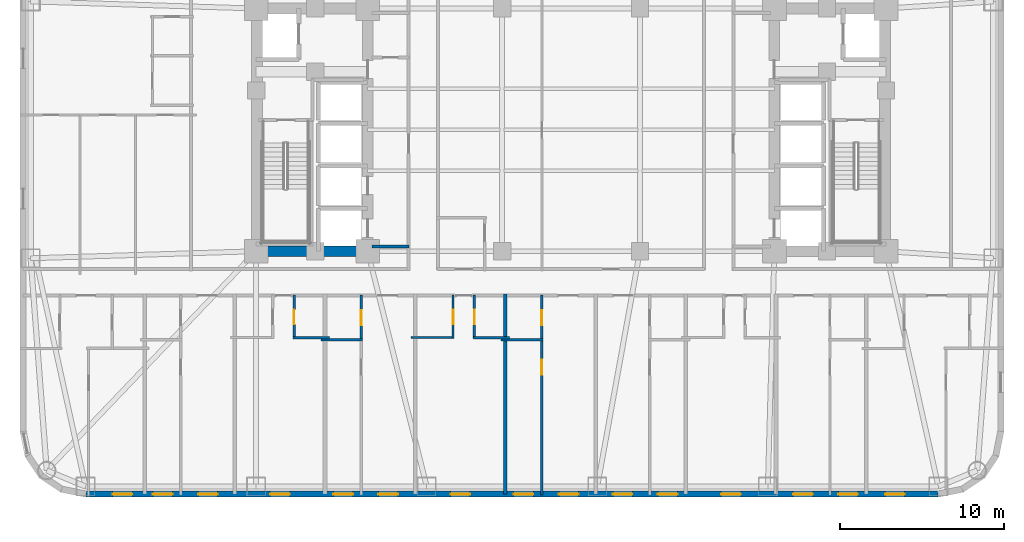
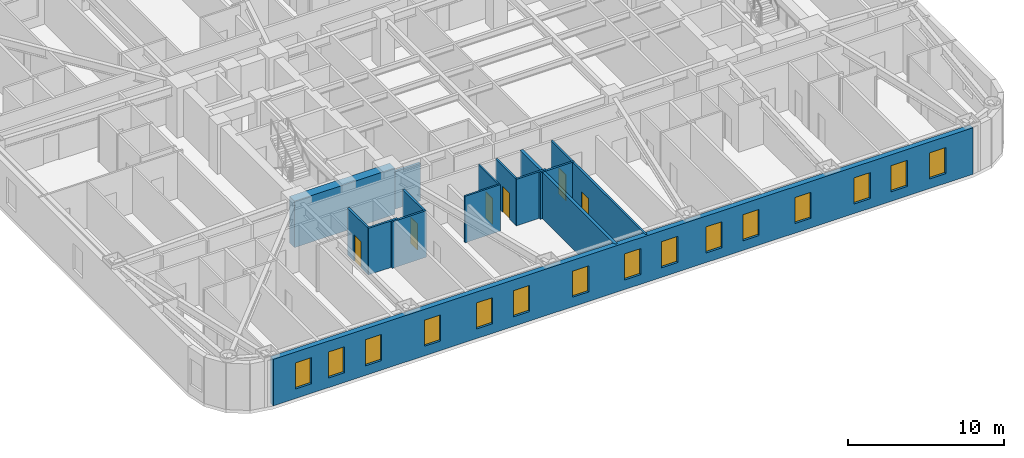
# One storey, part 3 of 11: 15 walls, 15 windows, 6 doors, 21 openings.
"""IFC4 building model written with IfcOpenShell, lengths in metres."""

from ifc_helpers import new_model, si_unit, direction, frame, frame_2d, origin, place, context, subcontext, project, spatial, rectangle, extrude, material, layer, layer_set, type_object, element, fill, save


model = new_model("IFC4")

# Units and contexts
model_context = context("Model", 3, precision=1e-05, world=origin(), true_north=direction((0.0, 1.0)))
body_context = subcontext(model_context, "Body", "Model", "MODEL_VIEW")
ifc_project = project(units=[si_unit("LENGTHUNIT", "METRE"), si_unit("AREAUNIT", "SQUARE_METRE"), si_unit("VOLUMEUNIT", "CUBIC_METRE"), si_unit("PLANEANGLEUNIT", "RADIAN"), si_unit("MASSUNIT", "GRAM", prefix="KILO")], contexts=[model_context])

# Site, building, storey
site_placement = place(None, origin())
site = spatial("IfcSite", under=ifc_project, at=site_placement, CompositionType="ELEMENT")
building_placement = place(site_placement, origin())
building = spatial("IfcBuilding", under=site, at=building_placement, Name="Voryun Gate Residences", CompositionType="ELEMENT")
storey_placement = place(building_placement, frame((0.0, 0.0, 33.800048828125)))
storey = spatial("IfcBuildingStorey", under=building, at=storey_placement, Name="L07", CompositionType="ELEMENT", Elevation=33.800048828125)

# Walls
ifc_material_1 = material(Name="Concrete C60/75", Category="concrete")
ifc_layer_1 = layer(ifc_material_1, 0.64990234375, Name="CW_CORE_650")
ifc_layer_set_1 = layer_set([ifc_layer_1], Name="Concrete C60/75")
wall_type_1 = type_object("IfcWallType", Name="CW_CORE_650", PredefinedType="SHEAR", material=ifc_layer_set_1)
wall_1_placement = place(storey_placement, frame((-19.52490234375, -7.39990234375, 0.0), z_axis=(0.0, 0.0, 1.0), x_axis=(1.0, 0.0, 0.0)))
element("IfcWall", 1, at=wall_1_placement, inside=storey, type_object=wall_type_1, Name="L07 Core shear wall CW-L07-WS", PredefinedType="SHEAR", context=body_context, shape_type="SweptSolid", body=[
    extrude(rectangle(XDim=7.449951171875, YDim=0.64990234375, at=frame_2d((3.72509765625, 0.0))), origin(), (0.0, 0.0, 1.0), 3.64990234375),
])
ifc_material_2 = material(Name="Gypsum acoustic fireboard")
ifc_layer_2 = layer(ifc_material_2, 0.179931640625, Name="W_CORR_RATED_180")
ifc_layer_set_2 = layer_set([ifc_layer_2], Name="Gypsum acoustic fireboard")
wall_type_2 = type_object("IfcWallType", Name="W_CORR_RATED_180", PredefinedType="PARTITIONING", material=ifc_layer_set_2)
wall_2_placement = place(storey_placement, frame((-12.14990234375, -7.1201171875, 0.0), z_axis=(0.0, 0.0, 1.0), x_axis=(1.0, 0.0, 0.0)))
element("IfcWall", 2, at=wall_2_placement, inside=storey, type_object=wall_type_2, Name="Partition wall WP-L07-PLBS-W", PredefinedType="PARTITIONING", context=body_context, shape_type="SweptSolid", body=[
    extrude(rectangle(XDim=2.27001953125, YDim=0.179931640625, at=frame_2d((1.135009765625, 0.0))), origin(), (0.0, 0.0, 1.0), 2.93994140625),
])

# Wall, openings, windows
ifc_material_3 = material(Name="Granite masonry", Category="masonry")
ifc_layer_3 = layer(ifc_material_3, 0.3798828125, Name="W_EXT_GRANITE_380")
ifc_layer_set_3 = layer_set([ifc_layer_3], Name="Granite masonry")
wall_type_3 = type_object("IfcWallType", Name="W_EXT_GRANITE_380", PredefinedType="ELEMENTEDWALL", material=ifc_layer_set_3)
wall_3_placement = place(storey_placement, frame((22.38134765625, -22.2099609375, 0.0), z_axis=(0.0, 0.0, 1.0), x_axis=(-1.0, 0.0, 0.0)))
wall_3 = element("IfcWall", 3, at=wall_3_placement, inside=storey, type_object=wall_type_3, Name="Exterior wall WEXT-L07-01", PredefinedType="ELEMENTEDWALL", context=body_context, shape_type="SweptSolid", body=[
    extrude(rectangle(XDim=51.962646484375, YDim=0.3798828125, at=frame_2d((25.9814453125, 0.0))), origin(), (0.0, 0.0, 1.0), 3.64990234375),
])
opening_1_placement = place(wall_3_placement, frame((49.126953125, 0.0, 0.75)))
opening_1 = element("IfcOpeningElement", 4, at=opening_1_placement, cuts=wall_3, Name="Opening WN6", PredefinedType="OPENING", context=body_context, shape_type="SweptSolid", body=[
    extrude(rectangle(XDim=1.199951171875, YDim=2.050048828125, at=frame_2d((0.60009765625, 1.02490234375))), frame((0.0, 0.199951171875, 0.0), z_axis=(0.0, -1.0, 0.0), x_axis=(1.0, 0.0, 0.0)), (0.0, 0.0, 1.0), 0.39990234375),
])
opening_2_placement = place(wall_3_placement, frame((43.92626953125, 0.0, 0.75)))
opening_2 = element("IfcOpeningElement", 5, at=opening_2_placement, cuts=wall_3, Name="Opening WN6", PredefinedType="OPENING", context=body_context, shape_type="SweptSolid", body=[
    extrude(rectangle(XDim=1.199951171875, YDim=2.050048828125, at=frame_2d((0.60009765625, 1.02490234375))), frame((0.0, 0.199951171875, 0.0), z_axis=(0.0, -1.0, 0.0), x_axis=(1.0, 0.0, 0.0)), (0.0, 0.0, 1.0), 0.39990234375),
])
opening_3_placement = place(wall_3_placement, frame((46.67626953125, 0.0, 0.75)))
opening_3 = element("IfcOpeningElement", 6, at=opening_3_placement, cuts=wall_3, Name="Opening WN6", PredefinedType="OPENING", context=body_context, shape_type="SweptSolid", body=[
    extrude(rectangle(XDim=1.199951171875, YDim=2.050048828125, at=frame_2d((0.60009765625, 1.02490234375))), frame((0.0, 0.199951171875, 0.0), z_axis=(0.0, -1.0, 0.0), x_axis=(1.0, 0.0, 0.0)), (0.0, 0.0, 1.0), 0.39990234375),
])
opening_4_placement = place(wall_3_placement, frame((39.53125, 0.0, 0.75)))
opening_4 = element("IfcOpeningElement", 7, at=opening_4_placement, cuts=wall_3, Name="Opening WN6", PredefinedType="OPENING", context=body_context, shape_type="SweptSolid", body=[
    extrude(rectangle(XDim=1.199951171875, YDim=2.050048828125, at=frame_2d((0.60009765625, 1.02490234375))), frame((0.0, 0.199951171875, 0.0), z_axis=(0.0, -1.0, 0.0), x_axis=(1.0, 0.0, 0.0)), (0.0, 0.0, 1.0), 0.39990234375),
])
opening_5_placement = place(wall_3_placement, frame((32.92626953125, 0.0, 0.75)))
opening_5 = element("IfcOpeningElement", 8, at=opening_5_placement, cuts=wall_3, Name="Opening WN6", PredefinedType="OPENING", context=body_context, shape_type="SweptSolid", body=[
    extrude(rectangle(XDim=1.199951171875, YDim=2.050048828125, at=frame_2d((0.60009765625, 1.02490234375))), frame((0.0, 0.199951171875, 0.0), z_axis=(0.0, -1.0, 0.0), x_axis=(1.0, 0.0, 0.0)), (0.0, 0.0, 1.0), 0.39990234375),
])
opening_6_placement = place(wall_3_placement, frame((35.67626953125, 0.0, 0.75)))
opening_6 = element("IfcOpeningElement", 9, at=opening_6_placement, cuts=wall_3, Name="Opening WN6", PredefinedType="OPENING", context=body_context, shape_type="SweptSolid", body=[
    extrude(rectangle(XDim=1.199951171875, YDim=2.050048828125, at=frame_2d((0.60009765625, 1.02490234375))), frame((0.0, 0.199951171875, 0.0), z_axis=(0.0, -1.0, 0.0), x_axis=(1.0, 0.0, 0.0)), (0.0, 0.0, 1.0), 0.39990234375),
])
opening_7_placement = place(wall_3_placement, frame((28.53125, 0.0, 0.75)))
opening_7 = element("IfcOpeningElement", 10, at=opening_7_placement, cuts=wall_3, Name="Opening WN6", PredefinedType="OPENING", context=body_context, shape_type="SweptSolid", body=[
    extrude(rectangle(XDim=1.199951171875, YDim=2.050048828125, at=frame_2d((0.60009765625, 1.02490234375))), frame((0.0, 0.199951171875, 0.0), z_axis=(0.0, -1.0, 0.0), x_axis=(1.0, 0.0, 0.0)), (0.0, 0.0, 1.0), 0.39990234375),
])
opening_8_placement = place(wall_3_placement, frame((21.92626953125, 0.0, 0.75)))
opening_8 = element("IfcOpeningElement", 11, at=opening_8_placement, cuts=wall_3, Name="Opening WN6", PredefinedType="OPENING", context=body_context, shape_type="SweptSolid", body=[
    extrude(rectangle(XDim=1.199951171875, YDim=2.050048828125, at=frame_2d((0.60009765625, 1.02490234375))), frame((0.0, 0.199951171875, 0.0), z_axis=(0.0, -1.0, 0.0), x_axis=(1.0, 0.0, 0.0)), (0.0, 0.0, 1.0), 0.39990234375),
])
opening_9_placement = place(wall_3_placement, frame((24.67626953125, 0.0, 0.75)))
opening_9 = element("IfcOpeningElement", 12, at=opening_9_placement, cuts=wall_3, Name="Opening WN6", PredefinedType="OPENING", context=body_context, shape_type="SweptSolid", body=[
    extrude(rectangle(XDim=1.199951171875, YDim=2.050048828125, at=frame_2d((0.60009765625, 1.02490234375))), frame((0.0, 0.199951171875, 0.0), z_axis=(0.0, -1.0, 0.0), x_axis=(1.0, 0.0, 0.0)), (0.0, 0.0, 1.0), 0.39990234375),
])
opening_10_placement = place(wall_3_placement, frame((18.63623046875, 0.0, 0.75)))
opening_10 = element("IfcOpeningElement", 13, at=opening_10_placement, cuts=wall_3, Name="Opening WN6", PredefinedType="OPENING", context=body_context, shape_type="SweptSolid", body=[
    extrude(rectangle(XDim=1.199951171875, YDim=2.050048828125, at=frame_2d((0.60009765625, 1.02490234375))), frame((0.0, 0.199951171875, 0.0), z_axis=(0.0, -1.0, 0.0), x_axis=(1.0, 0.0, 0.0)), (0.0, 0.0, 1.0), 0.39990234375),
])
opening_11_placement = place(wall_3_placement, frame((15.88623046875, 0.0, 0.75)))
opening_11 = element("IfcOpeningElement", 14, at=opening_11_placement, cuts=wall_3, Name="Opening WN6", PredefinedType="OPENING", context=body_context, shape_type="SweptSolid", body=[
    extrude(rectangle(XDim=1.199951171875, YDim=2.050048828125, at=frame_2d((0.60009765625, 1.02490234375))), frame((0.0, 0.199951171875, 0.0), z_axis=(0.0, -1.0, 0.0), x_axis=(1.0, 0.0, 0.0)), (0.0, 0.0, 1.0), 0.39990234375),
])
opening_12_placement = place(wall_3_placement, frame((12.03125, 0.0, 0.75)))
opening_12 = element("IfcOpeningElement", 15, at=opening_12_placement, cuts=wall_3, Name="Opening WN6", PredefinedType="OPENING", context=body_context, shape_type="SweptSolid", body=[
    extrude(rectangle(XDim=1.199951171875, YDim=2.050048828125, at=frame_2d((0.60009765625, 1.02490234375))), frame((0.0, 0.199951171875, 0.0), z_axis=(0.0, -1.0, 0.0), x_axis=(1.0, 0.0, 0.0)), (0.0, 0.0, 1.0), 0.39990234375),
])
opening_13_placement = place(wall_3_placement, frame((7.63623046875, 0.0, 0.75)))
opening_13 = element("IfcOpeningElement", 16, at=opening_13_placement, cuts=wall_3, Name="Opening WN6", PredefinedType="OPENING", context=body_context, shape_type="SweptSolid", body=[
    extrude(rectangle(XDim=1.199951171875, YDim=2.050048828125, at=frame_2d((0.60009765625, 1.02490234375))), frame((0.0, 0.199951171875, 0.0), z_axis=(0.0, -1.0, 0.0), x_axis=(1.0, 0.0, 0.0)), (0.0, 0.0, 1.0), 0.39990234375),
])
opening_14_placement = place(wall_3_placement, frame((4.88623046875, 0.0, 0.75)))
opening_14 = element("IfcOpeningElement", 17, at=opening_14_placement, cuts=wall_3, Name="Opening WN6", PredefinedType="OPENING", context=body_context, shape_type="SweptSolid", body=[
    extrude(rectangle(XDim=1.199951171875, YDim=2.050048828125, at=frame_2d((0.60009765625, 1.02490234375))), frame((0.0, 0.199951171875, 0.0), z_axis=(0.0, -1.0, 0.0), x_axis=(1.0, 0.0, 0.0)), (0.0, 0.0, 1.0), 0.39990234375),
])
opening_15_placement = place(wall_3_placement, frame((2.03564453125, 0.0, 0.75)))
opening_15 = element("IfcOpeningElement", 18, at=opening_15_placement, cuts=wall_3, Name="Opening WN6", PredefinedType="OPENING", context=body_context, shape_type="SweptSolid", body=[
    extrude(rectangle(XDim=1.199951171875, YDim=2.050048828125, at=frame_2d((0.60009765625, 1.02490234375))), frame((0.0, 0.199951171875, 0.0), z_axis=(0.0, -1.0, 0.0), x_axis=(1.0, 0.0, 0.0)), (0.0, 0.0, 1.0), 0.39990234375),
])
ifc_material_4 = material(Name="Laminated low-E glass", Category="glass")
window_type = type_object("IfcWindowType", Name="WN_POD_SLOT_1200", PartitioningType="SINGLE_PANEL", PredefinedType="WINDOW", material=ifc_material_4)
window_1_placement = place(opening_1_placement, origin())
window_1 = element("IfcWindow", 19, at=window_1_placement, inside=storey, type_object=window_type, Name="Window WN-L07-DWFIX-15", OverallHeight=2.050048828125, OverallWidth=1.199951171875, PartitioningType="SINGLE_PANEL", PredefinedType="WINDOW", context=body_context, shape_type="SweptSolid", body=[
    extrude(rectangle(XDim=1.199951171875, YDim=2.050048828125, at=frame_2d((0.60009765625, 1.02490234375))), frame((0.0, 0.030029296875, 0.0), z_axis=(0.0, -1.0, 0.0), x_axis=(1.0, 0.0, 0.0)), (0.0, 0.0, 1.0), 0.06005859375),
])
fill(opening_1, window_1)
window_2_placement = place(opening_2_placement, origin())
window_2 = element("IfcWindow", 20, at=window_2_placement, inside=storey, type_object=window_type, Name="Window WN-L07-DWFIX-16", OverallHeight=2.050048828125, OverallWidth=1.199951171875, PartitioningType="SINGLE_PANEL", PredefinedType="WINDOW", context=body_context, shape_type="SweptSolid", body=[
    extrude(rectangle(XDim=1.199951171875, YDim=2.050048828125, at=frame_2d((0.60009765625, 1.02490234375))), frame((0.0, 0.030029296875, 0.0), z_axis=(0.0, -1.0, 0.0), x_axis=(1.0, 0.0, 0.0)), (0.0, 0.0, 1.0), 0.06005859375),
])
fill(opening_2, window_2)
window_3_placement = place(opening_3_placement, origin())
window_3 = element("IfcWindow", 21, at=window_3_placement, inside=storey, type_object=window_type, Name="Window WN-L07-DWFIX-17", OverallHeight=2.050048828125, OverallWidth=1.199951171875, PartitioningType="SINGLE_PANEL", PredefinedType="WINDOW", context=body_context, shape_type="SweptSolid", body=[
    extrude(rectangle(XDim=1.199951171875, YDim=2.050048828125, at=frame_2d((0.60009765625, 1.02490234375))), frame((0.0, 0.030029296875, 0.0), z_axis=(0.0, -1.0, 0.0), x_axis=(1.0, 0.0, 0.0)), (0.0, 0.0, 1.0), 0.06005859375),
])
fill(opening_3, window_3)
window_4_placement = place(opening_4_placement, origin())
window_4 = element("IfcWindow", 22, at=window_4_placement, inside=storey, type_object=window_type, Name="Window WN-L07-DWFIX-18", OverallHeight=2.050048828125, OverallWidth=1.199951171875, PartitioningType="SINGLE_PANEL", PredefinedType="WINDOW", context=body_context, shape_type="SweptSolid", body=[
    extrude(rectangle(XDim=1.199951171875, YDim=2.050048828125, at=frame_2d((0.60009765625, 1.02490234375))), frame((0.0, 0.030029296875, 0.0), z_axis=(0.0, -1.0, 0.0), x_axis=(1.0, 0.0, 0.0)), (0.0, 0.0, 1.0), 0.06005859375),
])
fill(opening_4, window_4)
window_5_placement = place(opening_5_placement, origin())
window_5 = element("IfcWindow", 23, at=window_5_placement, inside=storey, type_object=window_type, Name="Window WN-L07-DWFIX-19", OverallHeight=2.050048828125, OverallWidth=1.199951171875, PartitioningType="SINGLE_PANEL", PredefinedType="WINDOW", context=body_context, shape_type="SweptSolid", body=[
    extrude(rectangle(XDim=1.199951171875, YDim=2.050048828125, at=frame_2d((0.60009765625, 1.02490234375))), frame((0.0, 0.030029296875, 0.0), z_axis=(0.0, -1.0, 0.0), x_axis=(1.0, 0.0, 0.0)), (0.0, 0.0, 1.0), 0.06005859375),
])
fill(opening_5, window_5)
window_6_placement = place(opening_6_placement, origin())
window_6 = element("IfcWindow", 24, at=window_6_placement, inside=storey, type_object=window_type, Name="Window WN-L07-DWFIX-20", OverallHeight=2.050048828125, OverallWidth=1.199951171875, PartitioningType="SINGLE_PANEL", PredefinedType="WINDOW", context=body_context, shape_type="SweptSolid", body=[
    extrude(rectangle(XDim=1.199951171875, YDim=2.050048828125, at=frame_2d((0.60009765625, 1.02490234375))), frame((0.0, 0.030029296875, 0.0), z_axis=(0.0, -1.0, 0.0), x_axis=(1.0, 0.0, 0.0)), (0.0, 0.0, 1.0), 0.06005859375),
])
fill(opening_6, window_6)
window_7_placement = place(opening_7_placement, origin())
window_7 = element("IfcWindow", 25, at=window_7_placement, inside=storey, type_object=window_type, Name="Window WN-L07-DWFIX-21", OverallHeight=2.050048828125, OverallWidth=1.199951171875, PartitioningType="SINGLE_PANEL", PredefinedType="WINDOW", context=body_context, shape_type="SweptSolid", body=[
    extrude(rectangle(XDim=1.199951171875, YDim=2.050048828125, at=frame_2d((0.60009765625, 1.02490234375))), frame((0.0, 0.030029296875, 0.0), z_axis=(0.0, -1.0, 0.0), x_axis=(1.0, 0.0, 0.0)), (0.0, 0.0, 1.0), 0.06005859375),
])
fill(opening_7, window_7)
window_8_placement = place(opening_8_placement, origin())
window_8 = element("IfcWindow", 26, at=window_8_placement, inside=storey, type_object=window_type, Name="Window WN-L07-DWFIX-22", OverallHeight=2.050048828125, OverallWidth=1.199951171875, PartitioningType="SINGLE_PANEL", PredefinedType="WINDOW", context=body_context, shape_type="SweptSolid", body=[
    extrude(rectangle(XDim=1.199951171875, YDim=2.050048828125, at=frame_2d((0.60009765625, 1.02490234375))), frame((0.0, 0.030029296875, 0.0), z_axis=(0.0, -1.0, 0.0), x_axis=(1.0, 0.0, 0.0)), (0.0, 0.0, 1.0), 0.06005859375),
])
fill(opening_8, window_8)
window_9_placement = place(opening_9_placement, origin())
window_9 = element("IfcWindow", 27, at=window_9_placement, inside=storey, type_object=window_type, Name="Window WN-L07-DWFIX-23", OverallHeight=2.050048828125, OverallWidth=1.199951171875, PartitioningType="SINGLE_PANEL", PredefinedType="WINDOW", context=body_context, shape_type="SweptSolid", body=[
    extrude(rectangle(XDim=1.199951171875, YDim=2.050048828125, at=frame_2d((0.60009765625, 1.02490234375))), frame((0.0, 0.030029296875, 0.0), z_axis=(0.0, -1.0, 0.0), x_axis=(1.0, 0.0, 0.0)), (0.0, 0.0, 1.0), 0.06005859375),
])
fill(opening_9, window_9)
window_10_placement = place(opening_10_placement, origin())
window_10 = element("IfcWindow", 28, at=window_10_placement, inside=storey, type_object=window_type, Name="Window WN-L07-DWFIX-24", OverallHeight=2.050048828125, OverallWidth=1.199951171875, PartitioningType="SINGLE_PANEL", PredefinedType="WINDOW", context=body_context, shape_type="SweptSolid", body=[
    extrude(rectangle(XDim=1.199951171875, YDim=2.050048828125, at=frame_2d((0.60009765625, 1.02490234375))), frame((0.0, 0.030029296875, 0.0), z_axis=(0.0, -1.0, 0.0), x_axis=(1.0, 0.0, 0.0)), (0.0, 0.0, 1.0), 0.06005859375),
])
fill(opening_10, window_10)
window_11_placement = place(opening_11_placement, origin())
window_11 = element("IfcWindow", 29, at=window_11_placement, inside=storey, type_object=window_type, Name="Window WN-L07-DWFIX-25", OverallHeight=2.050048828125, OverallWidth=1.199951171875, PartitioningType="SINGLE_PANEL", PredefinedType="WINDOW", context=body_context, shape_type="SweptSolid", body=[
    extrude(rectangle(XDim=1.199951171875, YDim=2.050048828125, at=frame_2d((0.60009765625, 1.02490234375))), frame((0.0, 0.030029296875, 0.0), z_axis=(0.0, -1.0, 0.0), x_axis=(1.0, 0.0, 0.0)), (0.0, 0.0, 1.0), 0.06005859375),
])
fill(opening_11, window_11)
window_12_placement = place(opening_12_placement, origin())
window_12 = element("IfcWindow", 30, at=window_12_placement, inside=storey, type_object=window_type, Name="Window WN-L07-DWFIX-26", OverallHeight=2.050048828125, OverallWidth=1.199951171875, PartitioningType="SINGLE_PANEL", PredefinedType="WINDOW", context=body_context, shape_type="SweptSolid", body=[
    extrude(rectangle(XDim=1.199951171875, YDim=2.050048828125, at=frame_2d((0.60009765625, 1.02490234375))), frame((0.0, 0.030029296875, 0.0), z_axis=(0.0, -1.0, 0.0), x_axis=(1.0, 0.0, 0.0)), (0.0, 0.0, 1.0), 0.06005859375),
])
fill(opening_12, window_12)
window_13_placement = place(opening_13_placement, origin())
window_13 = element("IfcWindow", 31, at=window_13_placement, inside=storey, type_object=window_type, Name="Window WN-L07-DWFIX-27", OverallHeight=2.050048828125, OverallWidth=1.199951171875, PartitioningType="SINGLE_PANEL", PredefinedType="WINDOW", context=body_context, shape_type="SweptSolid", body=[
    extrude(rectangle(XDim=1.199951171875, YDim=2.050048828125, at=frame_2d((0.60009765625, 1.02490234375))), frame((0.0, 0.030029296875, 0.0), z_axis=(0.0, -1.0, 0.0), x_axis=(1.0, 0.0, 0.0)), (0.0, 0.0, 1.0), 0.06005859375),
])
fill(opening_13, window_13)
window_14_placement = place(opening_14_placement, origin())
window_14 = element("IfcWindow", 32, at=window_14_placement, inside=storey, type_object=window_type, Name="Window WN-L07-DWFIX-28", OverallHeight=2.050048828125, OverallWidth=1.199951171875, PartitioningType="SINGLE_PANEL", PredefinedType="WINDOW", context=body_context, shape_type="SweptSolid", body=[
    extrude(rectangle(XDim=1.199951171875, YDim=2.050048828125, at=frame_2d((0.60009765625, 1.02490234375))), frame((0.0, 0.030029296875, 0.0), z_axis=(0.0, -1.0, 0.0), x_axis=(1.0, 0.0, 0.0)), (0.0, 0.0, 1.0), 0.06005859375),
])
fill(opening_14, window_14)
window_15_placement = place(opening_15_placement, origin())
window_15 = element("IfcWindow", 33, at=window_15_placement, inside=storey, type_object=window_type, Name="Window WN-L07-DWFIX-29", OverallHeight=2.050048828125, OverallWidth=1.199951171875, PartitioningType="SINGLE_PANEL", PredefinedType="WINDOW", context=body_context, shape_type="SweptSolid", body=[
    extrude(rectangle(XDim=1.199951171875, YDim=2.050048828125, at=frame_2d((0.60009765625, 1.02490234375))), frame((0.0, 0.030029296875, 0.0), z_axis=(0.0, -1.0, 0.0), x_axis=(1.0, 0.0, 0.0)), (0.0, 0.0, 1.0), 0.06005859375),
])
fill(opening_15, window_15)

# Wall
ifc_material_5 = material(Name="Concrete C40/50", Category="concrete")
ifc_layer_4 = layer(ifc_material_5, 0.219970703125, Name="W_PARTY_ACOUSTIC_220")
ifc_layer_set_4 = layer_set([ifc_layer_4], Name="Concrete C40/50")
wall_type_4 = type_object("IfcWallType", Name="W_PARTY_ACOUSTIC_220", PredefinedType="PARTITIONING", material=ifc_layer_set_4)
wall_4_placement = place(storey_placement, frame((-4.0, -22.2099609375, 0.0), z_axis=(0.0, 0.0, 1.0), x_axis=(0.0, 1.0, 0.0)))
element("IfcWall", 34, at=wall_4_placement, inside=storey, type_object=wall_type_4, Name="Partition wall WP-L07-SPTY-5", PredefinedType="PARTITIONING", context=body_context, shape_type="SweptSolid", body=[
    extrude(rectangle(XDim=12.18994140625, YDim=0.219970703125, at=frame_2d((6.094970703125, 0.0))), origin(), (0.0, 0.0, 1.0), 3.64990234375),
])

# Wall, opening, door
ifc_material_6 = material(Name="Gypsum acoustic partition")
ifc_layer_5 = layer(ifc_material_6, 0.125, Name="W_UNIT_PART_125")
ifc_layer_set_5 = layer_set([ifc_layer_5], Name="Gypsum acoustic partition")
wall_type_5 = type_object("IfcWallType", Name="W_UNIT_PART_125", PredefinedType="PARTITIONING", material=ifc_layer_set_5)
wall_5_placement = place(storey_placement, frame((-7.18994140625, -12.72998046875, 0.0), z_axis=(0.0, 0.0, 1.0), x_axis=(0.0, 1.0, 0.0)))
wall_5 = element("IfcWall", 35, at=wall_5_placement, inside=storey, type_object=wall_type_5, Name="Partition wall WP-L07-S5-CVK", PredefinedType="PARTITIONING", context=body_context, shape_type="SweptSolid", body=[
    extrude(rectangle(XDim=2.64990234375, YDim=0.125, at=frame_2d((1.324951171875, 0.0))), origin(), (0.0, 0.0, 1.0), 3.64990234375),
])
opening_16_placement = place(wall_5_placement, frame((0.875, 0.0, 0.0)))
opening_16 = element("IfcOpeningElement", 36, at=opening_16_placement, cuts=wall_5, Name="Opening D-INT-2", PredefinedType="OPENING", context=body_context, shape_type="SweptSolid", body=[
    extrude(rectangle(XDim=0.89990234375, YDim=2.050048828125, at=frame_2d((0.449951171875, 1.02490234375))), frame((0.0, 0.072509765625, 0.0), z_axis=(0.0, -1.0, 0.0), x_axis=(1.0, 0.0, 0.0)), (0.0, 0.0, 1.0), 0.14501953125),
])
ifc_material_7 = material(Name="Architectural oak veneer")
door_type = type_object("IfcDoorType", Name="DR_INT_BATH_900", OperationType="NOTDEFINED", PredefinedType="DOOR", material=ifc_material_7)
door_1_placement = place(opening_16_placement, origin())
door_1 = element("IfcDoor", 37, at=door_1_placement, inside=storey, type_object=door_type, Name="Door DR-L07-S5-DK", OperationType="SINGLE_SWING_LEFT", OverallHeight=2.050048828125, OverallWidth=0.89990234375, PredefinedType="DOOR", context=body_context, shape_type="SweptSolid", body=[
    extrude(rectangle(XDim=0.89990234375, YDim=2.050048828125, at=frame_2d((0.449951171875, 1.02490234375))), frame((0.0, 0.02490234375, 0.0), z_axis=(0.0, -1.0, 0.0), x_axis=(1.0, 0.0, 0.0)), (0.0, 0.0, 1.0), 0.050048828125),
])
fill(opening_16, door_1)

# Wall
wall_6_placement = place(storey_placement, frame((-9.760009765625, -12.669921875, 0.0), z_axis=(0.0, 0.0, 1.0), x_axis=(1.0, 0.0, 0.0)))
element("IfcWall", 38, at=wall_6_placement, inside=storey, type_object=wall_type_5, Name="Partition wall WP-L07-S5-CHK", PredefinedType="PARTITIONING", context=body_context, shape_type="SweptSolid", body=[
    extrude(rectangle(XDim=2.630126953125, YDim=0.125, at=frame_2d((1.31494140625, 0.0))), origin(), (0.0, 0.0, 1.0), 3.64990234375),
])

# Wall, opening, door
ifc_material_8 = material(Name="Gypsum moisture-resistant partition")
ifc_layer_6 = layer(ifc_material_8, 0.14990234375, Name="W_WET_PLUMB_150")
ifc_layer_set_6 = layer_set([ifc_layer_6], Name="Gypsum moisture-resistant partition")
wall_type_6 = type_object("IfcWallType", Name="W_WET_PLUMB_150", PredefinedType="PLUMBINGWALL", material=ifc_layer_set_6)
wall_7_placement = place(storey_placement, frame((-16.888916015625, -12.72998046875, 0.0), z_axis=(0.0, 0.0, 1.0), x_axis=(0.0, 1.0, 0.0)))
wall_7 = element("IfcWall", 39, at=wall_7_placement, inside=storey, type_object=wall_type_6, Name="Partition wall WP-L07-S3-CVB", PredefinedType="PLUMBINGWALL", context=body_context, shape_type="SweptSolid", body=[
    extrude(rectangle(XDim=2.64990234375, YDim=0.14990234375, at=frame_2d((1.324951171875, 0.0))), origin(), (0.0, 0.0, 1.0), 3.64990234375),
])
opening_17_placement = place(wall_7_placement, frame((0.875, 0.0, 0.0)))
opening_17 = element("IfcOpeningElement", 40, at=opening_17_placement, cuts=wall_7, Name="Opening D-INT-2", PredefinedType="OPENING", context=body_context, shape_type="SweptSolid", body=[
    extrude(rectangle(XDim=0.89990234375, YDim=2.050048828125, at=frame_2d((0.449951171875, 1.02490234375))), frame((0.0, 0.0849609375, 0.0), z_axis=(0.0, -1.0, 0.0), x_axis=(1.0, 0.0, 0.0)), (0.0, 0.0, 1.0), 0.169921875),
])
door_2_placement = place(opening_17_placement, origin())
door_2 = element("IfcDoor", 41, at=door_2_placement, inside=storey, type_object=door_type, Name="Door DR-L07-S3-DB", OperationType="SINGLE_SWING_RIGHT", OverallHeight=2.050048828125, OverallWidth=0.89990234375, PredefinedType="DOOR", context=body_context, shape_type="SweptSolid", body=[
    extrude(rectangle(XDim=0.89990234375, YDim=2.050048828125, at=frame_2d((0.449951171875, 1.02490234375))), frame((0.0, 0.02490234375, 0.0), z_axis=(0.0, -1.0, 0.0), x_axis=(1.0, 0.0, 0.0)), (0.0, 0.0, 1.0), 0.050048828125),
])
fill(opening_17, door_2)

# Walls
wall_8_placement = place(storey_placement, frame((-16.948974609375, -12.669921875, 0.0), z_axis=(0.0, 0.0, 1.0), x_axis=(1.0, 0.0, 0.0)))
element("IfcWall", 42, at=wall_8_placement, inside=storey, type_object=wall_type_6, Name="Partition wall WP-L07-S3-CHB", PredefinedType="PLUMBINGWALL", context=body_context, shape_type="SweptSolid", body=[
    extrude(rectangle(XDim=2.208984375, YDim=0.14990234375, at=frame_2d((1.1044921875, 0.0))), origin(), (0.0, 0.0, 1.0), 3.64990234375),
])
wall_9_placement = place(storey_placement, frame((-15.260009765625, -12.800048828125, 0.0), z_axis=(0.0, 0.0, 1.0), x_axis=(1.0, 0.0, 0.0)))
element("IfcWall", 43, at=wall_9_placement, inside=storey, type_object=wall_type_6, Name="Partition wall WP-L07-S4-SKB", PredefinedType="PLUMBINGWALL", context=body_context, shape_type="SweptSolid", body=[
    extrude(rectangle(XDim=2.550048828125, YDim=0.14990234375, at=frame_2d((1.27490234375, 0.0))), origin(), (0.0, 0.0, 1.0), 3.64990234375),
])

# Wall, opening, door
wall_10_placement = place(storey_placement, frame((-12.7900390625, -12.840087890625, 0.0), z_axis=(0.0, 0.0, 1.0), x_axis=(0.0, 1.0, 0.0)))
wall_10 = element("IfcWall", 44, at=wall_10_placement, inside=storey, type_object=wall_type_6, Name="Partition wall WP-L07-S4-SVT2", PredefinedType="PLUMBINGWALL", context=body_context, shape_type="SweptSolid", body=[
    extrude(rectangle(XDim=2.760009765625, YDim=0.14990234375, at=frame_2d((1.3798828125, 0.0))), origin(), (0.0, 0.0, 1.0), 3.64990234375),
])
opening_18_placement = place(wall_10_placement, frame((0.929931640625, 0.0, 0.0)))
opening_18 = element("IfcOpeningElement", 45, at=opening_18_placement, cuts=wall_10, Name="Opening D-INT-2", PredefinedType="OPENING", context=body_context, shape_type="SweptSolid", body=[
    extrude(rectangle(XDim=0.89990234375, YDim=2.050048828125, at=frame_2d((0.449951171875, 1.02490234375))), frame((0.0, 0.0849609375, 0.0), z_axis=(0.0, -1.0, 0.0), x_axis=(1.0, 0.0, 0.0)), (0.0, 0.0, 1.0), 0.169921875),
])
door_3_placement = place(opening_18_placement, origin())
door_3 = element("IfcDoor", 46, at=door_3_placement, inside=storey, type_object=door_type, Name="Door DR-L07-S4-DB", OperationType="SINGLE_SWING_RIGHT", OverallHeight=2.050048828125, OverallWidth=0.89990234375, PredefinedType="DOOR", context=body_context, shape_type="SweptSolid", body=[
    extrude(rectangle(XDim=0.89990234375, YDim=2.050048828125, at=frame_2d((0.449951171875, 1.02490234375))), frame((0.0, 0.02490234375, 0.0), z_axis=(0.0, -1.0, 0.0), x_axis=(1.0, 0.0, 0.0)), (0.0, 0.0, 1.0), 0.050048828125),
])
fill(opening_18, door_3)

wall_11_placement = place(storey_placement, frame((-5.888916015625, -12.72998046875, 0.0), z_axis=(0.0, 0.0, 1.0), x_axis=(0.0, 1.0, 0.0)))
wall_11 = element("IfcWall", 47, at=wall_11_placement, inside=storey, type_object=wall_type_6, Name="Partition wall WP-L07-S5-CVB", PredefinedType="PLUMBINGWALL", context=body_context, shape_type="SweptSolid", body=[
    extrude(rectangle(XDim=2.64990234375, YDim=0.14990234375, at=frame_2d((1.324951171875, 0.0))), origin(), (0.0, 0.0, 1.0), 3.64990234375),
])
opening_19_placement = place(wall_11_placement, frame((0.875, 0.0, 0.0)))
opening_19 = element("IfcOpeningElement", 48, at=opening_19_placement, cuts=wall_11, Name="Opening D-INT-2", PredefinedType="OPENING", context=body_context, shape_type="SweptSolid", body=[
    extrude(rectangle(XDim=0.89990234375, YDim=2.050048828125, at=frame_2d((0.449951171875, 1.02490234375))), frame((0.0, 0.0849609375, 0.0), z_axis=(0.0, -1.0, 0.0), x_axis=(1.0, 0.0, 0.0)), (0.0, 0.0, 1.0), 0.169921875),
])
door_4_placement = place(opening_19_placement, origin())
door_4 = element("IfcDoor", 49, at=door_4_placement, inside=storey, type_object=door_type, Name="Door DR-L07-S5-DB", OperationType="SINGLE_SWING_RIGHT", OverallHeight=2.050048828125, OverallWidth=0.89990234375, PredefinedType="DOOR", context=body_context, shape_type="SweptSolid", body=[
    extrude(rectangle(XDim=0.89990234375, YDim=2.050048828125, at=frame_2d((0.449951171875, 1.02490234375))), frame((0.0, 0.02490234375, 0.0), z_axis=(0.0, -1.0, 0.0), x_axis=(1.0, 0.0, 0.0)), (0.0, 0.0, 1.0), 0.050048828125),
])
fill(opening_19, door_4)

# Walls
wall_12_placement = place(storey_placement, frame((-5.948974609375, -12.669921875, 0.0), z_axis=(0.0, 0.0, 1.0), x_axis=(1.0, 0.0, 0.0)))
element("IfcWall", 50, at=wall_12_placement, inside=storey, type_object=wall_type_6, Name="Partition wall WP-L07-S5-CHB", PredefinedType="PLUMBINGWALL", context=body_context, shape_type="SweptSolid", body=[
    extrude(rectangle(XDim=2.208984375, YDim=0.14990234375, at=frame_2d((1.1044921875, 0.0))), origin(), (0.0, 0.0, 1.0), 3.64990234375),
])
wall_13_placement = place(storey_placement, frame((-4.260009765625, -12.800048828125, 0.0), z_axis=(0.0, 0.0, 1.0), x_axis=(1.0, 0.0, 0.0)))
element("IfcWall", 51, at=wall_13_placement, inside=storey, type_object=wall_type_6, Name="Partition wall WP-L07-S6-SKB", PredefinedType="PLUMBINGWALL", context=body_context, shape_type="SweptSolid", body=[
    extrude(rectangle(XDim=2.550048828125, YDim=0.14990234375, at=frame_2d((1.27490234375, 0.0))), origin(), (0.0, 0.0, 1.0), 3.64990234375),
])

# Wall, opening, door
wall_14_placement = place(storey_placement, frame((-1.7900390625, -22.257568359375, 0.0), z_axis=(0.0, 0.0, 1.0), x_axis=(0.0, 1.0, 0.0)))
wall_14 = element("IfcWall", 52, at=wall_14_placement, inside=storey, type_object=wall_type_6, Name="Partition wall WP-L07-S6-SVT1", PredefinedType="PLUMBINGWALL", context=body_context, shape_type="SweptSolid", body=[
    extrude(rectangle(XDim=9.49755859375, YDim=0.14990234375, at=frame_2d((4.748779296875, 0.0))), origin(), (0.0, 0.0, 1.0), 3.64990234375),
])
opening_20_placement = place(wall_14_placement, frame((7.337890625, 0.0, 0.0)))
opening_20 = element("IfcOpeningElement", 53, at=opening_20_placement, cuts=wall_14, Name="Opening D-INT-2", PredefinedType="OPENING", context=body_context, shape_type="SweptSolid", body=[
    extrude(rectangle(XDim=0.89990234375, YDim=2.050048828125, at=frame_2d((0.449951171875, 1.02490234375))), frame((0.0, 0.0849609375, 0.0), z_axis=(0.0, -1.0, 0.0), x_axis=(1.0, 0.0, 0.0)), (0.0, 0.0, 1.0), 0.169921875),
])
door_5_placement = place(opening_20_placement, origin())
door_5 = element("IfcDoor", 54, at=door_5_placement, inside=storey, type_object=door_type, Name="Door DR-L07-S6-DK", OperationType="SINGLE_SWING_LEFT", OverallHeight=2.050048828125, OverallWidth=0.89990234375, PredefinedType="DOOR", context=body_context, shape_type="SweptSolid", body=[
    extrude(rectangle(XDim=0.89990234375, YDim=2.050048828125, at=frame_2d((0.449951171875, 1.02490234375))), frame((0.0, 0.02490234375, 0.0), z_axis=(0.0, -1.0, 0.0), x_axis=(1.0, 0.0, 0.0)), (0.0, 0.0, 1.0), 0.050048828125),
])
fill(opening_20, door_5)

wall_15_placement = place(storey_placement, frame((-1.7900390625, -12.840087890625, 0.0), z_axis=(0.0, 0.0, 1.0), x_axis=(0.0, 1.0, 0.0)))
wall_15 = element("IfcWall", 55, at=wall_15_placement, inside=storey, type_object=wall_type_6, Name="Partition wall WP-L07-S6-SVT2", PredefinedType="PLUMBINGWALL", context=body_context, shape_type="SweptSolid", body=[
    extrude(rectangle(XDim=2.760009765625, YDim=0.14990234375, at=frame_2d((1.3798828125, 0.0))), origin(), (0.0, 0.0, 1.0), 3.64990234375),
])
opening_21_placement = place(wall_15_placement, frame((0.929931640625, 0.0, 0.0)))
opening_21 = element("IfcOpeningElement", 56, at=opening_21_placement, cuts=wall_15, Name="Opening D-INT-2", PredefinedType="OPENING", context=body_context, shape_type="SweptSolid", body=[
    extrude(rectangle(XDim=0.89990234375, YDim=2.050048828125, at=frame_2d((0.449951171875, 1.02490234375))), frame((0.0, 0.0849609375, 0.0), z_axis=(0.0, -1.0, 0.0), x_axis=(1.0, 0.0, 0.0)), (0.0, 0.0, 1.0), 0.169921875),
])
door_6_placement = place(opening_21_placement, origin())
door_6 = element("IfcDoor", 57, at=door_6_placement, inside=storey, type_object=door_type, Name="Door DR-L07-S6-DB", OperationType="SINGLE_SWING_RIGHT", OverallHeight=2.050048828125, OverallWidth=0.89990234375, PredefinedType="DOOR", context=body_context, shape_type="SweptSolid", body=[
    extrude(rectangle(XDim=0.89990234375, YDim=2.050048828125, at=frame_2d((0.449951171875, 1.02490234375))), frame((0.0, 0.02490234375, 0.0), z_axis=(0.0, -1.0, 0.0), x_axis=(1.0, 0.0, 0.0)), (0.0, 0.0, 1.0), 0.050048828125),
])
fill(opening_21, door_6)

save(model, "model.ifc")
